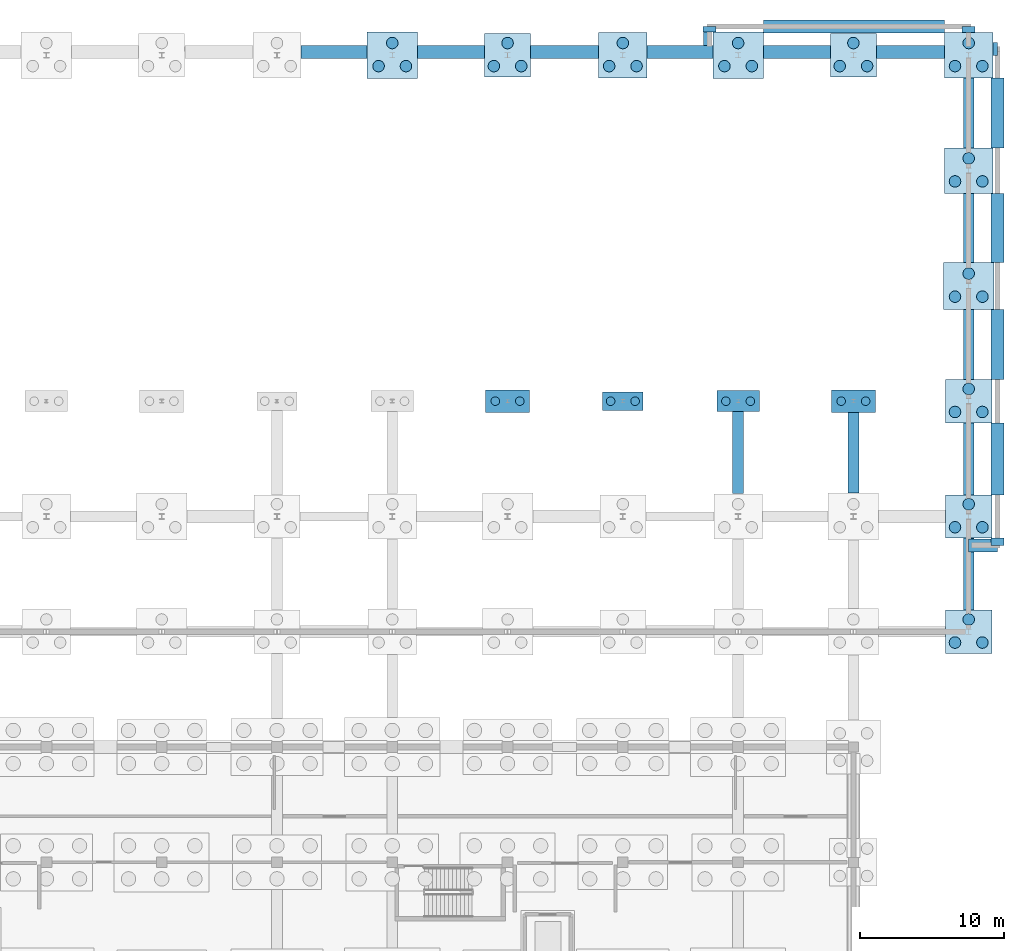
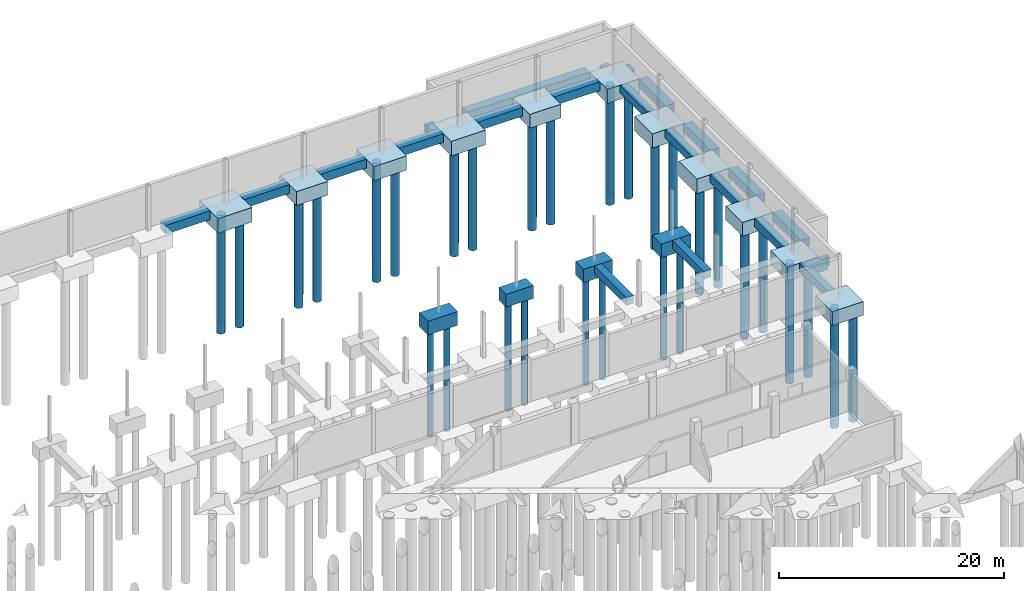
# One storey, part 17 of 51: 41 piles, 39 footings.
"""IFC4 building model written with IfcOpenShell, lengths in metres."""

from ifc_helpers import new_model, si_unit, direction, frame, origin, origin_2d, place, context, subcontext, project, spatial, rectangle, circle, extrude, material, material_profile, profile_set, type_object, element, save


model = new_model("IFC4")

# Units and contexts
model_context = context("Model", 3, precision=1e-05, world=origin(), true_north=direction((0.0, 1.0)))
body_context = subcontext(model_context, "Body", "Model", "MODEL_VIEW")
ifc_project = project(units=[si_unit("LENGTHUNIT", "METRE"), si_unit("AREAUNIT", "SQUARE_METRE"), si_unit("VOLUMEUNIT", "CUBIC_METRE"), si_unit("PLANEANGLEUNIT", "RADIAN"), si_unit("MASSUNIT", "GRAM", prefix="KILO")], contexts=[model_context])

# Site, building, storey
site_placement = place(None, origin())
site = spatial("IfcSite", under=ifc_project, at=site_placement, CompositionType="ELEMENT")
building_placement = place(site_placement, origin())
building = spatial("IfcBuilding", under=site, at=building_placement, Name="Jelvoka-Kovrelna Polytechnic", CompositionType="ELEMENT")
storey_placement = place(building_placement, frame((0.0, 0.0, -4.5)))
storey = spatial("IfcBuildingStorey", under=building, at=storey_placement, Name="B01", CompositionType="ELEMENT", Elevation=-4.5)

# Footings
ifc_material_1 = material(Name="Concrete C35/45", Category="concrete")
footing_type_1 = type_object("IfcFootingType", Name="Footing_PileCap_PC2A", PredefinedType="PILE_CAP", material=ifc_material_1)
footing_1_placement = place(storey_placement, frame((176.0, 96.0, -1.804931640625), z_axis=(0.0, 0.0, 1.0), x_axis=(1.0, 0.0, 0.0)))
element("IfcFooting", 1, at=footing_1_placement, inside=storey, type_object=footing_type_1, Name="Bored pile cap 261 (PC-2)", PredefinedType="PILE_CAP", context=body_context, shape_type="SweptSolid", body=[
    extrude(rectangle(XDim=2.800048828125, YDim=1.300048828125, at=origin_2d()), origin(), (0.0, 0.0, 1.0), 1.39990234375),
])
ifc_material_2 = material(Name="Concrete C35/45", Category="concrete")
footing_type_2 = type_object("IfcFootingType", Name="Footing_PileCap_PC2B", PredefinedType="PILE_CAP", material=ifc_material_2)
footing_2_placement = place(storey_placement, frame((184.0, 96.0, -1.85498046875), z_axis=(0.0, 0.0, 1.0), x_axis=(1.0, 0.0, 0.0)))
element("IfcFooting", 2, at=footing_2_placement, inside=storey, type_object=footing_type_2, Name="Bored pile cap 262 (PC-2)", PredefinedType="PILE_CAP", context=body_context, shape_type="SweptSolid", body=[
    extrude(rectangle(XDim=2.949951171875, YDim=1.449951171875, at=origin_2d()), origin(), (0.0, 0.0, 1.0), 1.449951171875),
])
ifc_material_3 = material(Name="Concrete C35/45", Category="concrete")
footing_type_3 = type_object("IfcFootingType", Name="Footing_PileCap_PC2C", PredefinedType="PILE_CAP", material=ifc_material_3)
for number, where, z_axis, x_axis, name in (
    (3, (168.0, 96.0, -1.905029296875), (0.0, 0.0, 1.0), (1.0, 0.0, 0.0), "Bored pile cap 260 (PC-2)"),
    (4, (192.0, 96.0, -1.905029296875), (0.0, 0.0, 1.0), (1.0, 0.0, 0.0), "Bored pile cap 263 (PC-2)"),
):
    element("IfcFooting", number, at=place(storey_placement, frame(where, z_axis=z_axis, x_axis=x_axis)), inside=storey, type_object=footing_type_3, Name=name, PredefinedType="PILE_CAP", context=body_context, shape_type="SweptSolid", body=[
        extrude(rectangle(XDim=3.050048828125, YDim=1.550048828125, at=origin_2d()), origin(), (0.0, 0.0, 1.0), 1.5),
    ])
ifc_material_4 = material(Name="Concrete C35/45", Category="concrete")
footing_type_4 = type_object("IfcFootingType", Name="Footing_PileCap_PC3A", PredefinedType="PILE_CAP", material=ifc_material_4)
for number, where, z_axis, x_axis, name in (
    (5, (200.0, 80.0, -1.905029296875), (0.0, 0.0, 1.0), (1.0, 0.0, 0.0), "Bored pile cap 234 (PC-3)"),
    (6, (200.0, 88.0, -1.905029296875), (0.0, 0.0, 1.0), (1.0, 0.0, 0.0), "Bored pile cap 249 (PC-3)"),
    (7, (200.0, 96.0, -1.905029296875), (0.0, 0.0, 1.0), (1.0, 0.0, 0.0), "Bored pile cap 264 (PC-3)"),
    (8, (168.0, 120.0, -1.905029296875), (0.0, 0.0, 1.0), (1.0, 0.0, 0.0), "Bored pile cap 279 (PC-3)"),
    (9, (192.0, 120.0, -1.905029296875), (0.0, 0.0, 1.0), (1.0, 0.0, 0.0), "Bored pile cap 282 (PC-3)"),
):
    element("IfcFooting", number, at=place(storey_placement, frame(where, z_axis=z_axis, x_axis=x_axis)), inside=storey, type_object=footing_type_4, Name=name, PredefinedType="PILE_CAP", context=body_context, shape_type="SweptSolid", body=[
        extrude(rectangle(XDim=3.199951171875, YDim=3.0, at=origin_2d()), origin(), (0.0, 0.0, 1.0), 1.5),
    ])
ifc_material_5 = material(Name="Concrete C35/45", Category="concrete")
footing_type_5 = type_object("IfcFootingType", Name="Footing_PileCap_PC3B", PredefinedType="PILE_CAP", material=ifc_material_5)
for number, where, z_axis, x_axis, name in (
    (10, (200.0, 112.0, -1.955078125), (0.0, 0.0, 1.0), (1.0, 0.0, 0.0), "Bored pile cap 268 (PC-3)"),
    (11, (176.0, 120.0, -1.955078125), (0.0, 0.0, 1.0), (1.0, 0.0, 0.0), "Bored pile cap 280 (PC-3)"),
    (12, (200.0, 120.0, -1.955078125), (0.0, 0.0, 1.0), (1.0, 0.0, 0.0), "Bored pile cap 283 (PC-3)"),
):
    element("IfcFooting", number, at=place(storey_placement, frame(where, z_axis=z_axis, x_axis=x_axis)), inside=storey, type_object=footing_type_5, Name=name, PredefinedType="PILE_CAP", context=body_context, shape_type="SweptSolid", body=[
        extrude(rectangle(XDim=3.35009765625, YDim=3.14990234375, at=origin_2d()), origin(), (0.0, 0.0, 1.0), 1.550048828125),
    ])
ifc_material_6 = material(Name="Concrete C35/45", Category="concrete")
footing_type_6 = type_object("IfcFootingType", Name="Footing_PileCap_PC3C", PredefinedType="PILE_CAP", material=ifc_material_6)
for number, where, z_axis, x_axis, name in (
    (13, (200.0, 104.0, -2.005126953125), (0.0, 0.0, 1.0), (1.0, 0.0, 0.0), "Bored pile cap 266 (PC-3)"),
    (14, (160.0, 120.0, -2.005126953125), (0.0, 0.0, 1.0), (1.0, 0.0, 0.0), "Bored pile cap 278 (PC-3)"),
    (15, (184.0, 120.0, -2.005126953125), (0.0, 0.0, 1.0), (1.0, 0.0, 0.0), "Bored pile cap 281 (PC-3)"),
):
    element("IfcFooting", number, at=place(storey_placement, frame(where, z_axis=z_axis, x_axis=x_axis)), inside=storey, type_object=footing_type_6, Name=name, PredefinedType="PILE_CAP", context=body_context, shape_type="SweptSolid", body=[
        extrude(rectangle(XDim=3.5, YDim=3.25, at=origin_2d()), origin(), (0.0, 0.0, 1.0), 1.60009765625),
    ])
ifc_material_7 = material(Name="Concrete C35/45", Category="concrete")
footing_type_7 = type_object("IfcFootingType", Name="Footing_Strip_SF1", PredefinedType="STRIP_FOOTING", material=ifc_material_7)
footing_3_placement = place(storey_placement, frame((181.89990234375, 121.15087890625, -1.155029296875), z_axis=(0.0, 0.0, 1.0), x_axis=(0.0, 1.0, 0.0)))
element("IfcFooting", 16, at=footing_3_placement, inside=storey, type_object=footing_type_7, Name="Strip foundation plinth beam 02", PredefinedType="STRIP_FOOTING", context=body_context, shape_type="SweptSolid", body=[
    extrude(rectangle(XDim=0.947998046875, YDim=0.60009765625, at=origin_2d()), origin(), (0.0, 0.0, 1.0), 0.75),
])
ifc_material_8 = material(Name="Concrete C35/45", Category="concrete")
footing_type_8 = type_object("IfcFootingType", Name="Footing_Strip_SF2", PredefinedType="STRIP_FOOTING", material=ifc_material_8)
footing_4_placement = place(storey_placement, frame((184.0, 92.425048828125, -1.255126953125), z_axis=(0.0, 0.0, 1.0), x_axis=(0.0, 1.0, 0.0)))
element("IfcFooting", 17, at=footing_4_placement, inside=storey, type_object=footing_type_8, Name="Strip foundation tie beam 270", PredefinedType="STRIP_FOOTING", context=body_context, shape_type="SweptSolid", body=[
    extrude(rectangle(XDim=5.696044921875, YDim=0.75, at=origin_2d()), origin(), (0.0, 0.0, 1.0), 0.85009765625),
])
footing_5_placement = place(storey_placement, frame((192.0, 92.425048828125, -1.255126953125), z_axis=(0.0, 0.0, 1.0), x_axis=(0.0, 1.0, 0.0)))
element("IfcFooting", 18, at=footing_5_placement, inside=storey, type_object=footing_type_8, Name="Strip foundation tie beam 289", PredefinedType="STRIP_FOOTING", context=body_context, shape_type="SweptSolid", body=[
    extrude(rectangle(XDim=5.595947265625, YDim=0.75, at=origin_2d()), origin(), (0.0, 0.0, 1.0), 0.85009765625),
])
for number, where, z_axis, x_axis, name in (
    (19, (200.0, 84.0, -1.255126953125), (0.0, 0.0, 1.0), (0.0, 1.0, 0.0), "Strip foundation tie beam 296"),
    (20, (200.0, 92.0, -1.255126953125), (0.0, 0.0, 1.0), (0.0, 1.0, 0.0), "Strip foundation tie beam 297"),
):
    element("IfcFooting", number, at=place(storey_placement, frame(where, z_axis=z_axis, x_axis=x_axis)), inside=storey, type_object=footing_type_8, Name=name, PredefinedType="STRIP_FOOTING", context=body_context, shape_type="SweptSolid", body=[
        extrude(rectangle(XDim=4.99609375, YDim=0.75, at=origin_2d()), origin(), (0.0, 0.0, 1.0), 0.85009765625),
    ])
footing_6_placement = place(storey_placement, frame((200.0, 99.9375, -1.255126953125), z_axis=(0.0, 0.0, 1.0), x_axis=(0.0, 1.0, 0.0)))
element("IfcFooting", 21, at=footing_6_placement, inside=storey, type_object=footing_type_8, Name="Strip foundation tie beam 298", PredefinedType="STRIP_FOOTING", context=body_context, shape_type="SweptSolid", body=[
    extrude(rectangle(XDim=4.87109375, YDim=0.75, at=origin_2d()), origin(), (0.0, 0.0, 1.0), 0.85009765625),
])
footing_7_placement = place(storey_placement, frame((200.0, 108.02490234375, -1.255126953125), z_axis=(0.0, 0.0, 1.0), x_axis=(0.0, 1.0, 0.0)))
element("IfcFooting", 22, at=footing_7_placement, inside=storey, type_object=footing_type_8, Name="Strip foundation tie beam 299", PredefinedType="STRIP_FOOTING", context=body_context, shape_type="SweptSolid", body=[
    extrude(rectangle(XDim=4.7958984375, YDim=0.75, at=origin_2d()), origin(), (0.0, 0.0, 1.0), 0.85009765625),
])
footing_8_placement = place(storey_placement, frame((200.0, 116.0, -1.255126953125), z_axis=(0.0, 0.0, 1.0), x_axis=(0.0, 1.0, 0.0)))
element("IfcFooting", 23, at=footing_8_placement, inside=storey, type_object=footing_type_8, Name="Strip foundation tie beam 300", PredefinedType="STRIP_FOOTING", context=body_context, shape_type="SweptSolid", body=[
    extrude(rectangle(XDim=4.845947265625, YDim=0.75, at=origin_2d()), origin(), (0.0, 0.0, 1.0), 0.85009765625),
])
ifc_material_9 = material(Name="Concrete C35/45", Category="concrete")
footing_type_9 = type_object("IfcFootingType", Name="Footing_Strip_SF3", PredefinedType="STRIP_FOOTING", material=ifc_material_9)
footing_9_placement = place(storey_placement, frame((155.96240234375, 120.22509765625, -1.35498046875), z_axis=(0.0, 0.0, 1.0), x_axis=(1.0, 0.0, 0.0)))
element("IfcFooting", 24, at=footing_9_placement, inside=storey, type_object=footing_type_9, Name="Strip foundation tie beam 342", PredefinedType="STRIP_FOOTING", context=body_context, shape_type="SweptSolid", body=[
    extrude(rectangle(XDim=4.571044921875, YDim=0.89990234375, at=origin_2d()), origin(), (0.0, 0.0, 1.0), 0.949951171875),
])
footing_10_placement = place(storey_placement, frame((164.074951171875, 120.22509765625, -1.35498046875), z_axis=(0.0, 0.0, 1.0), x_axis=(1.0, 0.0, 0.0)))
element("IfcFooting", 25, at=footing_10_placement, inside=storey, type_object=footing_type_9, Name="Strip foundation tie beam 343", PredefinedType="STRIP_FOOTING", context=body_context, shape_type="SweptSolid", body=[
    extrude(rectangle(XDim=4.64599609375, YDim=0.89990234375, at=origin_2d()), origin(), (0.0, 0.0, 1.0), 0.949951171875),
])
footing_11_placement = place(storey_placement, frame((171.96240234375, 120.22509765625, -1.35498046875), z_axis=(0.0, 0.0, 1.0), x_axis=(1.0, 0.0, 0.0)))
element("IfcFooting", 26, at=footing_11_placement, inside=storey, type_object=footing_type_9, Name="Strip foundation tie beam 344", PredefinedType="STRIP_FOOTING", context=body_context, shape_type="SweptSolid", body=[
    extrude(rectangle(XDim=4.720947265625, YDim=0.89990234375, at=origin_2d()), origin(), (0.0, 0.0, 1.0), 0.949951171875),
])
footing_12_placement = place(storey_placement, frame((179.96240234375, 120.22509765625, -1.35498046875), z_axis=(0.0, 0.0, 1.0), x_axis=(1.0, 0.0, 0.0)))
element("IfcFooting", 27, at=footing_12_placement, inside=storey, type_object=footing_type_9, Name="Strip foundation tie beam 345", PredefinedType="STRIP_FOOTING", context=body_context, shape_type="SweptSolid", body=[
    extrude(rectangle(XDim=4.571044921875, YDim=0.89990234375, at=origin_2d()), origin(), (0.0, 0.0, 1.0), 0.949951171875),
])
footing_13_placement = place(storey_placement, frame((188.074951171875, 120.22509765625, -1.35498046875), z_axis=(0.0, 0.0, 1.0), x_axis=(1.0, 0.0, 0.0)))
element("IfcFooting", 28, at=footing_13_placement, inside=storey, type_object=footing_type_9, Name="Strip foundation tie beam 346", PredefinedType="STRIP_FOOTING", context=body_context, shape_type="SweptSolid", body=[
    extrude(rectangle(XDim=4.64599609375, YDim=0.89990234375, at=origin_2d()), origin(), (0.0, 0.0, 1.0), 0.949951171875),
])
footing_14_placement = place(storey_placement, frame((195.96240234375, 120.22509765625, -1.35498046875), z_axis=(0.0, 0.0, 1.0), x_axis=(1.0, 0.0, 0.0)))
element("IfcFooting", 29, at=footing_14_placement, inside=storey, type_object=footing_type_9, Name="Strip foundation tie beam 347", PredefinedType="STRIP_FOOTING", context=body_context, shape_type="SweptSolid", body=[
    extrude(rectangle(XDim=4.720947265625, YDim=0.89990234375, at=origin_2d()), origin(), (0.0, 0.0, 1.0), 0.949951171875),
])
footing_15_placement = place(storey_placement, frame((202.0, 86.2490234375, -1.35498046875), z_axis=(0.0, 0.0, 1.0), x_axis=(0.0, 1.0, 0.0)))
element("IfcFooting", 30, at=footing_15_placement, inside=storey, type_object=footing_type_9, Name="Strip foundation tie beam 360", PredefinedType="STRIP_FOOTING", context=body_context, shape_type="SweptSolid", body=[
    extrude(rectangle(XDim=0.498046875, YDim=0.89990234375, at=origin_2d()), origin(), (0.0, 0.0, 1.0), 0.949951171875),
])
footing_16_placement = place(storey_placement, frame((202.0, 92.0, -1.35498046875), z_axis=(0.0, 0.0, 1.0), x_axis=(0.0, 1.0, 0.0)))
element("IfcFooting", 31, at=footing_16_placement, inside=storey, type_object=footing_type_9, Name="Strip foundation tie beam 361", PredefinedType="STRIP_FOOTING", context=body_context, shape_type="SweptSolid", body=[
    extrude(rectangle(XDim=4.99609375, YDim=0.89990234375, at=origin_2d()), origin(), (0.0, 0.0, 1.0), 0.949951171875),
])
footing_17_placement = place(storey_placement, frame((202.0, 99.9375, -1.35498046875), z_axis=(0.0, 0.0, 1.0), x_axis=(0.0, 1.0, 0.0)))
element("IfcFooting", 32, at=footing_17_placement, inside=storey, type_object=footing_type_9, Name="Strip foundation tie beam 362", PredefinedType="STRIP_FOOTING", context=body_context, shape_type="SweptSolid", body=[
    extrude(rectangle(XDim=4.87109375, YDim=0.89990234375, at=origin_2d()), origin(), (0.0, 0.0, 1.0), 0.949951171875),
])
footing_18_placement = place(storey_placement, frame((202.0, 108.02490234375, -1.35498046875), z_axis=(0.0, 0.0, 1.0), x_axis=(0.0, 1.0, 0.0)))
element("IfcFooting", 33, at=footing_18_placement, inside=storey, type_object=footing_type_9, Name="Strip foundation tie beam 363", PredefinedType="STRIP_FOOTING", context=body_context, shape_type="SweptSolid", body=[
    extrude(rectangle(XDim=4.7958984375, YDim=0.89990234375, at=origin_2d()), origin(), (0.0, 0.0, 1.0), 0.949951171875),
])
footing_19_placement = place(storey_placement, frame((202.0, 116.0, -1.35498046875), z_axis=(0.0, 0.0, 1.0), x_axis=(0.0, 1.0, 0.0)))
element("IfcFooting", 34, at=footing_19_placement, inside=storey, type_object=footing_type_9, Name="Strip foundation tie beam 364", PredefinedType="STRIP_FOOTING", context=body_context, shape_type="SweptSolid", body=[
    extrude(rectangle(XDim=4.845947265625, YDim=0.89990234375, at=origin_2d()), origin(), (0.0, 0.0, 1.0), 0.949951171875),
])
footing_20_placement = place(storey_placement, frame((201.0, 86.0, -1.35498046875), z_axis=(0.0, 0.0, 1.0), x_axis=(1.0, 0.0, 0.0)))
element("IfcFooting", 35, at=footing_20_placement, inside=storey, type_object=footing_type_9, Name="Strip foundation tie beam 365", PredefinedType="STRIP_FOOTING", context=body_context, shape_type="SweptSolid", body=[
    extrude(rectangle(XDim=2.0, YDim=0.89990234375, at=origin_2d()), origin(), (0.0, 0.0, 1.0), 0.949951171875),
])
footing_21_placement = place(storey_placement, frame((201.83837890625, 120.449951171875, -1.35498046875), z_axis=(0.0, 0.0, 1.0), x_axis=(1.0, 0.0, 0.0)))
element("IfcFooting", 36, at=footing_21_placement, inside=storey, type_object=footing_type_9, Name="Strip foundation tie beam 366", PredefinedType="STRIP_FOOTING", context=body_context, shape_type="SweptSolid", body=[
    extrude(rectangle(XDim=0.322998046875, YDim=0.89990234375, at=origin_2d()), origin(), (0.0, 0.0, 1.0), 0.949951171875),
])
footing_22_placement = place(storey_placement, frame((192.03759765625, 122.0, -1.35498046875), z_axis=(0.0, 0.0, 1.0), x_axis=(1.0, 0.0, 0.0)))
element("IfcFooting", 37, at=footing_22_placement, inside=storey, type_object=footing_type_9, Name="Strip foundation tie beam 367", PredefinedType="STRIP_FOOTING", context=body_context, shape_type="SweptSolid", body=[
    extrude(rectangle(XDim=12.571044921875, YDim=0.89990234375, at=origin_2d()), origin(), (0.0, 0.0, 1.0), 0.949951171875),
])
footing_23_placement = place(storey_placement, frame((182.0, 121.8134765625, -1.35498046875), z_axis=(0.0, 0.0, 1.0), x_axis=(0.0, 1.0, 0.0)))
element("IfcFooting", 38, at=footing_23_placement, inside=storey, type_object=footing_type_9, Name="Strip foundation tie beam 368", PredefinedType="STRIP_FOOTING", context=body_context, shape_type="SweptSolid", body=[
    extrude(rectangle(XDim=0.373046875, YDim=0.89990234375, at=origin_2d()), origin(), (0.0, 0.0, 1.0), 0.949951171875),
])
footing_24_placement = place(storey_placement, frame((200.0, 121.78857421875, -1.35498046875), z_axis=(0.0, 0.0, 1.0), x_axis=(0.0, 1.0, 0.0)))
element("IfcFooting", 39, at=footing_24_placement, inside=storey, type_object=footing_type_9, Name="Strip foundation tie beam 369", PredefinedType="STRIP_FOOTING", context=body_context, shape_type="SweptSolid", body=[
    extrude(rectangle(XDim=0.423095703125, YDim=0.89990234375, at=origin_2d()), origin(), (0.0, 0.0, 1.0), 0.949951171875),
])

# Piles
ifc_material_10 = material(Name="Concrete C35/45", Category="concrete")
ifc_material_profile_1 = material_profile(ifc_material_10, circle(Radius=0.300048828125, at=origin_2d()), Name="PILE D600")
ifc_profile_set_1 = profile_set([ifc_material_profile_1], Name="Concrete C35/45")
pile_type_1 = type_object("IfcPileType", Name="Pile_Bored_600", PredefinedType="BORED", material=ifc_profile_set_1)
for number, where, z_axis, x_axis, name in (
    (40, (167.14990234375, 96.0, -1.804931640625), (0.0, 0.0, -1.0), (1.0, 0.0, 0.0), "Bored concrete pile 260-1"),
    (41, (168.85009765625, 96.0, -1.804931640625), (0.0, 0.0, -1.0), (1.0, 0.0, 0.0), "Bored concrete pile 260-2"),
):
    element("IfcPile", number, at=place(storey_placement, frame(where, z_axis=z_axis, x_axis=x_axis)), inside=storey, type_object=pile_type_1, Name=name, PredefinedType="BORED", context=body_context, shape_type="SweptSolid", body=[
        extrude(circle(Radius=0.300048828125, at=origin_2d()), origin(), (0.0, 0.0, 1.0), 11.695068359375),
    ])
for number, where, z_axis, x_axis, name in (
    (42, (175.14990234375, 96.0, -1.705078125), (0.0, 0.0, -1.0), (1.0, 0.0, 0.0), "Bored concrete pile 261-1"),
    (43, (176.85009765625, 96.0, -1.705078125), (0.0, 0.0, -1.0), (1.0, 0.0, 0.0), "Bored concrete pile 261-2"),
):
    element("IfcPile", number, at=place(storey_placement, frame(where, z_axis=z_axis, x_axis=x_axis)), inside=storey, type_object=pile_type_1, Name=name, PredefinedType="BORED", context=body_context, shape_type="SweptSolid", body=[
        extrude(circle(Radius=0.300048828125, at=origin_2d()), origin(), (0.0, 0.0, 1.0), 11.794921875),
    ])
for number, where, z_axis, x_axis, name in (
    (44, (183.14990234375, 96.0, -1.7548828125), (0.0, 0.0, -1.0), (1.0, 0.0, 0.0), "Bored concrete pile 262-1"),
    (45, (184.85009765625, 96.0, -1.7548828125), (0.0, 0.0, -1.0), (1.0, 0.0, 0.0), "Bored concrete pile 262-2"),
):
    element("IfcPile", number, at=place(storey_placement, frame(where, z_axis=z_axis, x_axis=x_axis)), inside=storey, type_object=pile_type_1, Name=name, PredefinedType="BORED", context=body_context, shape_type="SweptSolid", body=[
        extrude(circle(Radius=0.300048828125, at=origin_2d()), origin(), (0.0, 0.0, 1.0), 11.7451171875),
    ])
for number, where, z_axis, x_axis, name in (
    (46, (191.14990234375, 96.0, -1.804931640625), (0.0, 0.0, -1.0), (1.0, 0.0, 0.0), "Bored concrete pile 263-1"),
    (47, (192.85009765625, 96.0, -1.804931640625), (0.0, 0.0, -1.0), (1.0, 0.0, 0.0), "Bored concrete pile 263-2"),
):
    element("IfcPile", number, at=place(storey_placement, frame(where, z_axis=z_axis, x_axis=x_axis)), inside=storey, type_object=pile_type_1, Name=name, PredefinedType="BORED", context=body_context, shape_type="SweptSolid", body=[
        extrude(circle(Radius=0.300048828125, at=origin_2d()), origin(), (0.0, 0.0, 1.0), 11.695068359375),
    ])
ifc_material_11 = material(Name="Concrete C35/45", Category="concrete")
ifc_material_profile_2 = material_profile(ifc_material_11, circle(Radius=0.39990234375, at=origin_2d()), Name="PILE D800")
ifc_profile_set_2 = profile_set([ifc_material_profile_2], Name="Concrete C35/45")
pile_type_2 = type_object("IfcPileType", Name="Pile_Bored_800", PredefinedType="BORED", material=ifc_profile_set_2)
for number, where, z_axis, x_axis, name in (
    (48, (199.050048828125, 79.25, -1.804931640625), (0.0, 0.0, -1.0), (1.0, 0.0, 0.0), "Bored concrete pile 234-1"),
    (49, (200.949951171875, 79.25, -1.804931640625), (0.0, 0.0, -1.0), (1.0, 0.0, 0.0), "Bored concrete pile 234-2"),
    (50, (200.0, 80.85009765625, -1.804931640625), (0.0, 0.0, -1.0), (1.0, 0.0, 0.0), "Bored concrete pile 234-3"),
    (51, (199.050048828125, 87.25, -1.804931640625), (0.0, 0.0, -1.0), (1.0, 0.0, 0.0), "Bored concrete pile 249-1"),
    (52, (200.949951171875, 87.25, -1.804931640625), (0.0, 0.0, -1.0), (1.0, 0.0, 0.0), "Bored concrete pile 249-2"),
    (53, (200.0, 88.85009765625, -1.804931640625), (0.0, 0.0, -1.0), (1.0, 0.0, 0.0), "Bored concrete pile 249-3"),
    (54, (199.050048828125, 95.25, -1.804931640625), (0.0, 0.0, -1.0), (1.0, 0.0, 0.0), "Bored concrete pile 264-1"),
    (55, (200.949951171875, 95.25, -1.804931640625), (0.0, 0.0, -1.0), (1.0, 0.0, 0.0), "Bored concrete pile 264-2"),
    (56, (200.0, 96.85009765625, -1.804931640625), (0.0, 0.0, -1.0), (1.0, 0.0, 0.0), "Bored concrete pile 264-3"),
):
    element("IfcPile", number, at=place(storey_placement, frame(where, z_axis=z_axis, x_axis=x_axis)), inside=storey, type_object=pile_type_2, Name=name, PredefinedType="BORED", context=body_context, shape_type="SweptSolid", body=[
        extrude(circle(Radius=0.39990234375, at=origin_2d()), origin(), (0.0, 0.0, 1.0), 11.695068359375),
    ])
for number, where, z_axis, x_axis, name in (
    (57, (199.050048828125, 103.25, -1.905029296875), (0.0, 0.0, -1.0), (1.0, 0.0, 0.0), "Bored concrete pile 266-1"),
    (58, (200.949951171875, 103.25, -1.905029296875), (0.0, 0.0, -1.0), (1.0, 0.0, 0.0), "Bored concrete pile 266-2"),
    (59, (200.0, 104.85009765625, -1.905029296875), (0.0, 0.0, -1.0), (1.0, 0.0, 0.0), "Bored concrete pile 266-3"),
):
    element("IfcPile", number, at=place(storey_placement, frame(where, z_axis=z_axis, x_axis=x_axis)), inside=storey, type_object=pile_type_2, Name=name, PredefinedType="BORED", context=body_context, shape_type="SweptSolid", body=[
        extrude(circle(Radius=0.39990234375, at=origin_2d()), origin(), (0.0, 0.0, 1.0), 11.594970703125),
    ])
for number, where, z_axis, x_axis, name in (
    (60, (199.050048828125, 111.25, -1.85498046875), (0.0, 0.0, -1.0), (1.0, 0.0, 0.0), "Bored concrete pile 268-1"),
    (61, (200.949951171875, 111.25, -1.85498046875), (0.0, 0.0, -1.0), (1.0, 0.0, 0.0), "Bored concrete pile 268-2"),
    (62, (200.0, 112.85009765625, -1.85498046875), (0.0, 0.0, -1.0), (1.0, 0.0, 0.0), "Bored concrete pile 268-3"),
):
    element("IfcPile", number, at=place(storey_placement, frame(where, z_axis=z_axis, x_axis=x_axis)), inside=storey, type_object=pile_type_2, Name=name, PredefinedType="BORED", context=body_context, shape_type="SweptSolid", body=[
        extrude(circle(Radius=0.39990234375, at=origin_2d()), origin(), (0.0, 0.0, 1.0), 11.64501953125),
    ])
for number, where, z_axis, x_axis, name in (
    (63, (159.050048828125, 119.25, -1.905029296875), (0.0, 0.0, -1.0), (1.0, 0.0, 0.0), "Bored concrete pile 278-1"),
    (64, (160.949951171875, 119.25, -1.905029296875), (0.0, 0.0, -1.0), (1.0, 0.0, 0.0), "Bored concrete pile 278-2"),
    (65, (160.0, 120.85009765625, -1.905029296875), (0.0, 0.0, -1.0), (1.0, 0.0, 0.0), "Bored concrete pile 278-3"),
):
    element("IfcPile", number, at=place(storey_placement, frame(where, z_axis=z_axis, x_axis=x_axis)), inside=storey, type_object=pile_type_2, Name=name, PredefinedType="BORED", context=body_context, shape_type="SweptSolid", body=[
        extrude(circle(Radius=0.39990234375, at=origin_2d()), origin(), (0.0, 0.0, 1.0), 11.594970703125),
    ])
for number, where, z_axis, x_axis, name in (
    (66, (167.050048828125, 119.25, -1.804931640625), (0.0, 0.0, -1.0), (1.0, 0.0, 0.0), "Bored concrete pile 279-1"),
    (67, (168.949951171875, 119.25, -1.804931640625), (0.0, 0.0, -1.0), (1.0, 0.0, 0.0), "Bored concrete pile 279-2"),
    (68, (168.0, 120.85009765625, -1.804931640625), (0.0, 0.0, -1.0), (1.0, 0.0, 0.0), "Bored concrete pile 279-3"),
):
    element("IfcPile", number, at=place(storey_placement, frame(where, z_axis=z_axis, x_axis=x_axis)), inside=storey, type_object=pile_type_2, Name=name, PredefinedType="BORED", context=body_context, shape_type="SweptSolid", body=[
        extrude(circle(Radius=0.39990234375, at=origin_2d()), origin(), (0.0, 0.0, 1.0), 11.695068359375),
    ])
for number, where, z_axis, x_axis, name in (
    (69, (175.050048828125, 119.25, -1.85498046875), (0.0, 0.0, -1.0), (1.0, 0.0, 0.0), "Bored concrete pile 280-1"),
    (70, (176.949951171875, 119.25, -1.85498046875), (0.0, 0.0, -1.0), (1.0, 0.0, 0.0), "Bored concrete pile 280-2"),
    (71, (176.0, 120.85009765625, -1.85498046875), (0.0, 0.0, -1.0), (1.0, 0.0, 0.0), "Bored concrete pile 280-3"),
):
    element("IfcPile", number, at=place(storey_placement, frame(where, z_axis=z_axis, x_axis=x_axis)), inside=storey, type_object=pile_type_2, Name=name, PredefinedType="BORED", context=body_context, shape_type="SweptSolid", body=[
        extrude(circle(Radius=0.39990234375, at=origin_2d()), origin(), (0.0, 0.0, 1.0), 11.64501953125),
    ])
for number, where, z_axis, x_axis, name in (
    (72, (183.050048828125, 119.25, -1.905029296875), (0.0, 0.0, -1.0), (1.0, 0.0, 0.0), "Bored concrete pile 281-1"),
    (73, (184.949951171875, 119.25, -1.905029296875), (0.0, 0.0, -1.0), (1.0, 0.0, 0.0), "Bored concrete pile 281-2"),
    (74, (184.0, 120.85009765625, -1.905029296875), (0.0, 0.0, -1.0), (1.0, 0.0, 0.0), "Bored concrete pile 281-3"),
):
    element("IfcPile", number, at=place(storey_placement, frame(where, z_axis=z_axis, x_axis=x_axis)), inside=storey, type_object=pile_type_2, Name=name, PredefinedType="BORED", context=body_context, shape_type="SweptSolid", body=[
        extrude(circle(Radius=0.39990234375, at=origin_2d()), origin(), (0.0, 0.0, 1.0), 11.594970703125),
    ])
for number, where, z_axis, x_axis, name in (
    (75, (191.050048828125, 119.25, -1.804931640625), (0.0, 0.0, -1.0), (1.0, 0.0, 0.0), "Bored concrete pile 282-1"),
    (76, (192.949951171875, 119.25, -1.804931640625), (0.0, 0.0, -1.0), (1.0, 0.0, 0.0), "Bored concrete pile 282-2"),
    (77, (192.0, 120.85009765625, -1.804931640625), (0.0, 0.0, -1.0), (1.0, 0.0, 0.0), "Bored concrete pile 282-3"),
):
    element("IfcPile", number, at=place(storey_placement, frame(where, z_axis=z_axis, x_axis=x_axis)), inside=storey, type_object=pile_type_2, Name=name, PredefinedType="BORED", context=body_context, shape_type="SweptSolid", body=[
        extrude(circle(Radius=0.39990234375, at=origin_2d()), origin(), (0.0, 0.0, 1.0), 11.695068359375),
    ])
for number, where, z_axis, x_axis, name in (
    (78, (199.050048828125, 119.25, -1.85498046875), (0.0, 0.0, -1.0), (1.0, 0.0, 0.0), "Bored concrete pile 283-1"),
    (79, (200.949951171875, 119.25, -1.85498046875), (0.0, 0.0, -1.0), (1.0, 0.0, 0.0), "Bored concrete pile 283-2"),
    (80, (200.0, 120.85009765625, -1.85498046875), (0.0, 0.0, -1.0), (1.0, 0.0, 0.0), "Bored concrete pile 283-3"),
):
    element("IfcPile", number, at=place(storey_placement, frame(where, z_axis=z_axis, x_axis=x_axis)), inside=storey, type_object=pile_type_2, Name=name, PredefinedType="BORED", context=body_context, shape_type="SweptSolid", body=[
        extrude(circle(Radius=0.39990234375, at=origin_2d()), origin(), (0.0, 0.0, 1.0), 11.64501953125),
    ])

save(model, "model.ifc")
